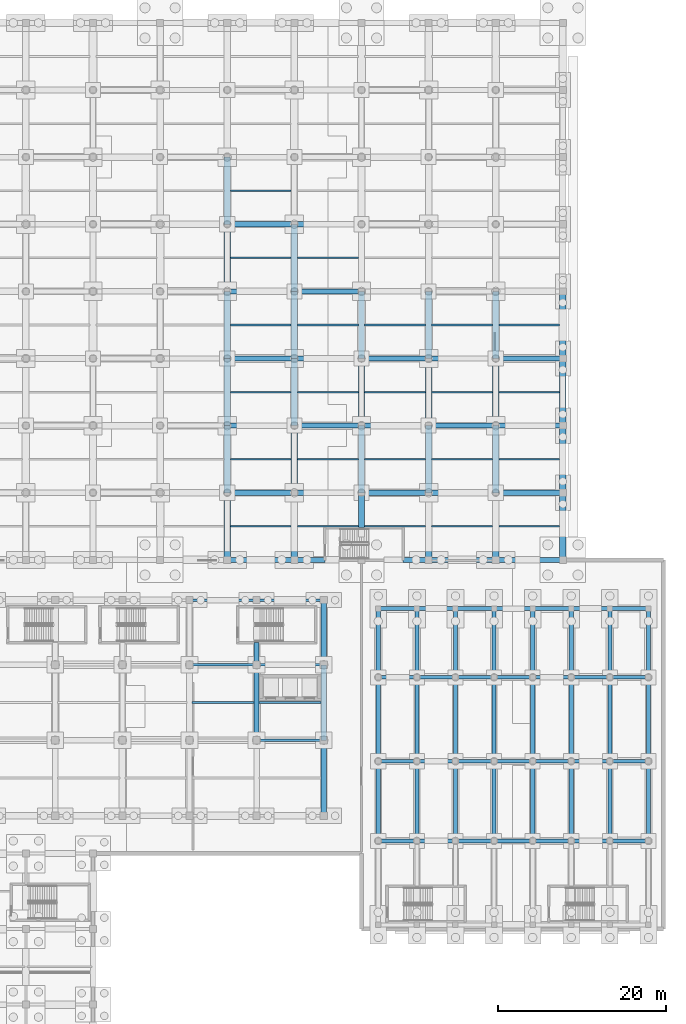
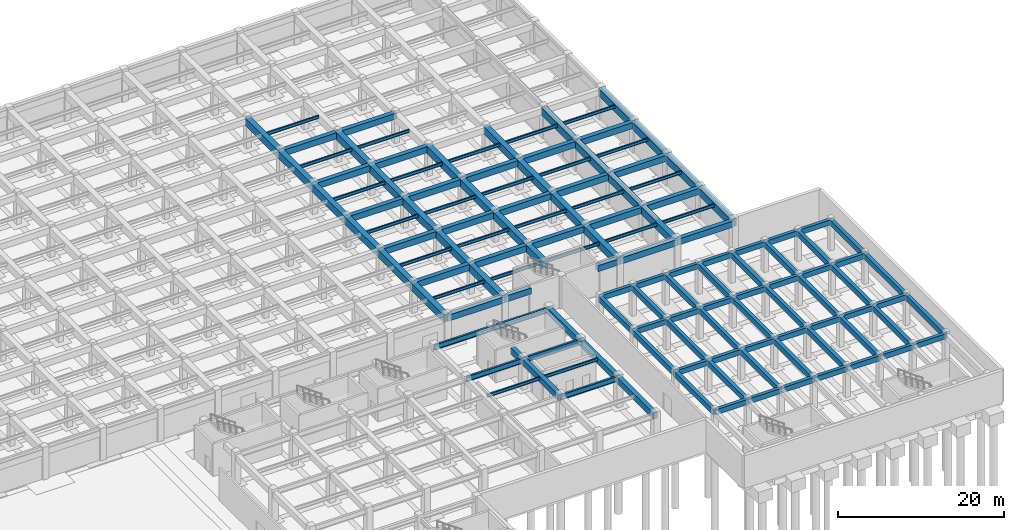
# One storey, part 22 of 48: 138 beams.
"""IFC4 building model written with IfcOpenShell, lengths in metres."""

from ifc_helpers import new_model, si_unit, direction, frame, origin, origin_2d, place, context, subcontext, project, spatial, rectangle, i_section, extrude, material, material_profile, profile_set, type_object, element, save


model = new_model("IFC4")

# Units and contexts
model_context = context("Model", 3, precision=1e-05, world=origin(), true_north=direction((0.0, 1.0)))
body_context = subcontext(model_context, "Body", "Model", "MODEL_VIEW")
ifc_project = project(units=[si_unit("LENGTHUNIT", "METRE"), si_unit("AREAUNIT", "SQUARE_METRE"), si_unit("VOLUMEUNIT", "CUBIC_METRE"), si_unit("PLANEANGLEUNIT", "RADIAN"), si_unit("MASSUNIT", "GRAM", prefix="KILO")], contexts=[model_context])

# Site, building, storey
site_placement = place(None, origin())
site = spatial("IfcSite", under=ifc_project, at=site_placement, CompositionType="ELEMENT")
building_placement = place(site_placement, origin())
building = spatial("IfcBuilding", under=site, at=building_placement, Name="Tlacozan Convention Centre", CompositionType="ELEMENT")
storey_placement = place(building_placement, frame((0.0, 0.0, -4.800048828125)))
storey = spatial("IfcBuildingStorey", under=building, at=storey_placement, Name="B01", CompositionType="ELEMENT", Elevation=-4.800048828125)

# Beams
ifc_material_1 = material(Name="Concrete C40/50", Category="concrete")
ifc_material_profile_1 = material_profile(ifc_material_1, rectangle(XDim=0.449951171875, YDim=0.75, at=origin_2d()), Name="RC 450x750")
ifc_profile_set_1 = profile_set([ifc_material_profile_1], Name="Concrete C40/50")
beam_type_1 = type_object("IfcBeamType", Name="Girder RC 450x750", PredefinedType="BEAM", material=ifc_profile_set_1)
for number, where, z_axis, x_axis, name in (
    (1, (146.0, 28.5, 4.10498046875), (1.0, 0.0, 0.0), (0.0, 1.0, 0.0), "B01 Girder RC 450x750 1534"),
    (2, (146.0, 38.0, 4.10498046875), (1.0, 0.0, 0.0), (0.0, 1.0, 0.0), "B01 Girder RC 450x750 1535"),
    (3, (146.0, 48.0, 4.10498046875), (1.0, 0.0, 0.0), (0.0, 1.0, 0.0), "B01 Girder RC 450x750 1536"),
    (4, (146.0, 56.199951171875, 4.10498046875), (1.0, 0.0, 0.0), (0.0, 1.0, 0.0), "B01 Girder RC 450x750 1537"),
):
    element("IfcBeam", number, at=place(storey_placement, frame(where, z_axis=z_axis, x_axis=x_axis)), inside=storey, type_object=beam_type_1, Name=name, PredefinedType="BEAM", context=body_context, shape_type="SweptSolid", body=[
        extrude(rectangle(XDim=0.449951171875, YDim=0.75, at=origin_2d()), origin(), (0.0, 0.0, 1.0), 4.60009765625),
    ])
for number, where, z_axis, x_axis, name in (
    (5, (150.60009765625, 28.5, 4.10498046875), (1.0, 0.0, 0.0), (0.0, 1.0, 0.0), "B01 Girder RC 450x750 1539"),
    (6, (150.60009765625, 38.0, 4.10498046875), (1.0, 0.0, 0.0), (0.0, 1.0, 0.0), "B01 Girder RC 450x750 1540"),
    (7, (150.60009765625, 48.0, 4.10498046875), (1.0, 0.0, 0.0), (0.0, 1.0, 0.0), "B01 Girder RC 450x750 1541"),
    (8, (150.60009765625, 56.199951171875, 4.10498046875), (1.0, 0.0, 0.0), (0.0, 1.0, 0.0), "B01 Girder RC 450x750 1542"),
):
    element("IfcBeam", number, at=place(storey_placement, frame(where, z_axis=z_axis, x_axis=x_axis)), inside=storey, type_object=beam_type_1, Name=name, PredefinedType="BEAM", context=body_context, shape_type="SweptSolid", body=[
        extrude(rectangle(XDim=0.449951171875, YDim=0.75, at=origin_2d()), origin(), (0.0, 0.0, 1.0), 4.599853515625),
    ])
for number, where, z_axis, x_axis, name in (
    (9, (155.199951171875, 28.5, 4.10498046875), (1.0, 0.0, 0.0), (0.0, 1.0, 0.0), "B01 Girder RC 450x750 1544"),
    (10, (155.199951171875, 38.0, 4.10498046875), (1.0, 0.0, 0.0), (0.0, 1.0, 0.0), "B01 Girder RC 450x750 1545"),
    (11, (155.199951171875, 48.0, 4.10498046875), (1.0, 0.0, 0.0), (0.0, 1.0, 0.0), "B01 Girder RC 450x750 1546"),
    (12, (155.199951171875, 56.199951171875, 4.10498046875), (1.0, 0.0, 0.0), (0.0, 1.0, 0.0), "B01 Girder RC 450x750 1547"),
):
    element("IfcBeam", number, at=place(storey_placement, frame(where, z_axis=z_axis, x_axis=x_axis)), inside=storey, type_object=beam_type_1, Name=name, PredefinedType="BEAM", context=body_context, shape_type="SweptSolid", body=[
        extrude(rectangle(XDim=0.449951171875, YDim=0.75, at=origin_2d()), origin(), (0.0, 0.0, 1.0), 4.60009765625),
    ])
for number, where, z_axis, x_axis, name in (
    (13, (159.800048828125, 28.5, 4.10498046875), (1.0, 0.0, 0.0), (0.0, 1.0, 0.0), "B01 Girder RC 450x750 1549"),
    (14, (159.800048828125, 38.0, 4.10498046875), (1.0, 0.0, 0.0), (0.0, 1.0, 0.0), "B01 Girder RC 450x750 1550"),
    (15, (159.800048828125, 48.0, 4.10498046875), (1.0, 0.0, 0.0), (0.0, 1.0, 0.0), "B01 Girder RC 450x750 1551"),
    (16, (159.800048828125, 56.199951171875, 4.10498046875), (1.0, 0.0, 0.0), (0.0, 1.0, 0.0), "B01 Girder RC 450x750 1552"),
):
    element("IfcBeam", number, at=place(storey_placement, frame(where, z_axis=z_axis, x_axis=x_axis)), inside=storey, type_object=beam_type_1, Name=name, PredefinedType="BEAM", context=body_context, shape_type="SweptSolid", body=[
        extrude(rectangle(XDim=0.449951171875, YDim=0.75, at=origin_2d()), origin(), (0.0, 0.0, 1.0), 4.599853515625),
    ])
for number, where, z_axis, x_axis, name in (
    (17, (164.39990234375, 28.5, 4.10498046875), (1.0, 0.0, 0.0), (0.0, 1.0, 0.0), "B01 Girder RC 450x750 1554"),
    (18, (164.39990234375, 38.0, 4.10498046875), (1.0, 0.0, 0.0), (0.0, 1.0, 0.0), "B01 Girder RC 450x750 1555"),
    (19, (164.39990234375, 48.0, 4.10498046875), (1.0, 0.0, 0.0), (0.0, 1.0, 0.0), "B01 Girder RC 450x750 1556"),
    (20, (164.39990234375, 56.199951171875, 4.10498046875), (1.0, 0.0, 0.0), (0.0, 1.0, 0.0), "B01 Girder RC 450x750 1557"),
    (21, (169.0, 28.5, 4.10498046875), (1.0, 0.0, 0.0), (0.0, 1.0, 0.0), "B01 Girder RC 450x750 1559"),
    (22, (169.0, 38.0, 4.10498046875), (1.0, 0.0, 0.0), (0.0, 1.0, 0.0), "B01 Girder RC 450x750 1560"),
    (23, (169.0, 48.0, 4.10498046875), (1.0, 0.0, 0.0), (0.0, 1.0, 0.0), "B01 Girder RC 450x750 1561"),
    (24, (169.0, 56.199951171875, 4.10498046875), (1.0, 0.0, 0.0), (0.0, 1.0, 0.0), "B01 Girder RC 450x750 1562"),
):
    element("IfcBeam", number, at=place(storey_placement, frame(where, z_axis=z_axis, x_axis=x_axis)), inside=storey, type_object=beam_type_1, Name=name, PredefinedType="BEAM", context=body_context, shape_type="SweptSolid", body=[
        extrude(rectangle(XDim=0.449951171875, YDim=0.75, at=origin_2d()), origin(), (0.0, 0.0, 1.0), 4.60009765625),
    ])
for number, where, z_axis, x_axis, name in (
    (25, (173.60009765625, 28.5, 4.10498046875), (1.0, 0.0, 0.0), (0.0, 1.0, 0.0), "B01 Girder RC 450x750 1564"),
    (26, (173.60009765625, 38.0, 4.10498046875), (1.0, 0.0, 0.0), (0.0, 1.0, 0.0), "B01 Girder RC 450x750 1565"),
    (27, (173.60009765625, 48.0, 4.10498046875), (1.0, 0.0, 0.0), (0.0, 1.0, 0.0), "B01 Girder RC 450x750 1566"),
    (28, (173.60009765625, 56.199951171875, 4.10498046875), (1.0, 0.0, 0.0), (0.0, 1.0, 0.0), "B01 Girder RC 450x750 1567"),
):
    element("IfcBeam", number, at=place(storey_placement, frame(where, z_axis=z_axis, x_axis=x_axis)), inside=storey, type_object=beam_type_1, Name=name, PredefinedType="BEAM", context=body_context, shape_type="SweptSolid", body=[
        extrude(rectangle(XDim=0.449951171875, YDim=0.75, at=origin_2d()), origin(), (0.0, 0.0, 1.0), 4.599853515625),
    ])
ifc_material_profile_2 = material_profile(ifc_material_1, rectangle(XDim=0.5, YDim=0.800048828125, at=origin_2d()), Name="RC 500x800")
ifc_profile_set_2 = profile_set([ifc_material_profile_2], Name="Concrete C40/50")
beam_type_2 = type_object("IfcBeamType", Name="Girder RC 500x800", PredefinedType="BEAM", material=ifc_profile_set_2)
beam_1_placement = place(storey_placement, frame((146.0, 28.5, 4.080078125), z_axis=(0.0, 1.0, 0.0), x_axis=(-1.0, 0.0, 0.0)))
element("IfcBeam", 29, at=beam_1_placement, inside=storey, type_object=beam_type_2, Name="B01 Girder RC 500x800 1502", PredefinedType="BEAM", context=body_context, shape_type="SweptSolid", body=[
    extrude(rectangle(XDim=0.5, YDim=0.800048828125, at=origin_2d()), origin(), (0.0, 0.0, 1.0), 9.5),
])
beam_2_placement = place(storey_placement, frame((146.0, 38.0, 4.080078125), z_axis=(0.0, 1.0, 0.0), x_axis=(-1.0, 0.0, 0.0)))
element("IfcBeam", 30, at=beam_2_placement, inside=storey, type_object=beam_type_2, Name="B01 Girder RC 500x800 1503", PredefinedType="BEAM", context=body_context, shape_type="SweptSolid", body=[
    extrude(rectangle(XDim=0.5, YDim=0.800048828125, at=origin_2d()), origin(), (0.0, 0.0, 1.0), 10.0),
])
beam_3_placement = place(storey_placement, frame((146.0, 48.0, 4.080078125), z_axis=(0.0, 1.0, 0.0), x_axis=(-1.0, 0.0, 0.0)))
element("IfcBeam", 31, at=beam_3_placement, inside=storey, type_object=beam_type_2, Name="B01 Girder RC 500x800 1504", PredefinedType="BEAM", context=body_context, shape_type="SweptSolid", body=[
    extrude(rectangle(XDim=0.5, YDim=0.800048828125, at=origin_2d()), origin(), (0.0, 0.0, 1.0), 8.199951171875),
])
beam_4_placement = place(storey_placement, frame((150.60009765625, 28.5, 4.080078125), z_axis=(0.0, 1.0, 0.0), x_axis=(-1.0, 0.0, 0.0)))
element("IfcBeam", 32, at=beam_4_placement, inside=storey, type_object=beam_type_2, Name="B01 Girder RC 500x800 1506", PredefinedType="BEAM", context=body_context, shape_type="SweptSolid", body=[
    extrude(rectangle(XDim=0.5, YDim=0.800048828125, at=origin_2d()), origin(), (0.0, 0.0, 1.0), 9.5),
])
beam_5_placement = place(storey_placement, frame((150.60009765625, 38.0, 4.080078125), z_axis=(0.0, 1.0, 0.0), x_axis=(-1.0, 0.0, 0.0)))
element("IfcBeam", 33, at=beam_5_placement, inside=storey, type_object=beam_type_2, Name="B01 Girder RC 500x800 1507", PredefinedType="BEAM", context=body_context, shape_type="SweptSolid", body=[
    extrude(rectangle(XDim=0.5, YDim=0.800048828125, at=origin_2d()), origin(), (0.0, 0.0, 1.0), 10.0),
])
beam_6_placement = place(storey_placement, frame((150.60009765625, 48.0, 4.080078125), z_axis=(0.0, 1.0, 0.0), x_axis=(-1.0, 0.0, 0.0)))
element("IfcBeam", 34, at=beam_6_placement, inside=storey, type_object=beam_type_2, Name="B01 Girder RC 500x800 1508", PredefinedType="BEAM", context=body_context, shape_type="SweptSolid", body=[
    extrude(rectangle(XDim=0.5, YDim=0.800048828125, at=origin_2d()), origin(), (0.0, 0.0, 1.0), 8.199951171875),
])
beam_7_placement = place(storey_placement, frame((155.199951171875, 28.5, 4.080078125), z_axis=(0.0, 1.0, 0.0), x_axis=(-1.0, 0.0, 0.0)))
element("IfcBeam", 35, at=beam_7_placement, inside=storey, type_object=beam_type_2, Name="B01 Girder RC 500x800 1510", PredefinedType="BEAM", context=body_context, shape_type="SweptSolid", body=[
    extrude(rectangle(XDim=0.5, YDim=0.800048828125, at=origin_2d()), origin(), (0.0, 0.0, 1.0), 9.5),
])
beam_8_placement = place(storey_placement, frame((155.199951171875, 38.0, 4.080078125), z_axis=(0.0, 1.0, 0.0), x_axis=(-1.0, 0.0, 0.0)))
element("IfcBeam", 36, at=beam_8_placement, inside=storey, type_object=beam_type_2, Name="B01 Girder RC 500x800 1511", PredefinedType="BEAM", context=body_context, shape_type="SweptSolid", body=[
    extrude(rectangle(XDim=0.5, YDim=0.800048828125, at=origin_2d()), origin(), (0.0, 0.0, 1.0), 10.0),
])
beam_9_placement = place(storey_placement, frame((155.199951171875, 48.0, 4.080078125), z_axis=(0.0, 1.0, 0.0), x_axis=(-1.0, 0.0, 0.0)))
element("IfcBeam", 37, at=beam_9_placement, inside=storey, type_object=beam_type_2, Name="B01 Girder RC 500x800 1512", PredefinedType="BEAM", context=body_context, shape_type="SweptSolid", body=[
    extrude(rectangle(XDim=0.5, YDim=0.800048828125, at=origin_2d()), origin(), (0.0, 0.0, 1.0), 8.199951171875),
])
beam_10_placement = place(storey_placement, frame((159.800048828125, 28.5, 4.080078125), z_axis=(0.0, 1.0, 0.0), x_axis=(-1.0, 0.0, 0.0)))
element("IfcBeam", 38, at=beam_10_placement, inside=storey, type_object=beam_type_2, Name="B01 Girder RC 500x800 1514", PredefinedType="BEAM", context=body_context, shape_type="SweptSolid", body=[
    extrude(rectangle(XDim=0.5, YDim=0.800048828125, at=origin_2d()), origin(), (0.0, 0.0, 1.0), 9.5),
])
beam_11_placement = place(storey_placement, frame((159.800048828125, 38.0, 4.080078125), z_axis=(0.0, 1.0, 0.0), x_axis=(-1.0, 0.0, 0.0)))
element("IfcBeam", 39, at=beam_11_placement, inside=storey, type_object=beam_type_2, Name="B01 Girder RC 500x800 1515", PredefinedType="BEAM", context=body_context, shape_type="SweptSolid", body=[
    extrude(rectangle(XDim=0.5, YDim=0.800048828125, at=origin_2d()), origin(), (0.0, 0.0, 1.0), 10.0),
])
beam_12_placement = place(storey_placement, frame((159.800048828125, 48.0, 4.080078125), z_axis=(0.0, 1.0, 0.0), x_axis=(-1.0, 0.0, 0.0)))
element("IfcBeam", 40, at=beam_12_placement, inside=storey, type_object=beam_type_2, Name="B01 Girder RC 500x800 1516", PredefinedType="BEAM", context=body_context, shape_type="SweptSolid", body=[
    extrude(rectangle(XDim=0.5, YDim=0.800048828125, at=origin_2d()), origin(), (0.0, 0.0, 1.0), 8.199951171875),
])
beam_13_placement = place(storey_placement, frame((164.39990234375, 28.5, 4.080078125), z_axis=(0.0, 1.0, 0.0), x_axis=(-1.0, 0.0, 0.0)))
element("IfcBeam", 41, at=beam_13_placement, inside=storey, type_object=beam_type_2, Name="B01 Girder RC 500x800 1518", PredefinedType="BEAM", context=body_context, shape_type="SweptSolid", body=[
    extrude(rectangle(XDim=0.5, YDim=0.800048828125, at=origin_2d()), origin(), (0.0, 0.0, 1.0), 9.5),
])
beam_14_placement = place(storey_placement, frame((164.39990234375, 38.0, 4.080078125), z_axis=(0.0, 1.0, 0.0), x_axis=(-1.0, 0.0, 0.0)))
element("IfcBeam", 42, at=beam_14_placement, inside=storey, type_object=beam_type_2, Name="B01 Girder RC 500x800 1519", PredefinedType="BEAM", context=body_context, shape_type="SweptSolid", body=[
    extrude(rectangle(XDim=0.5, YDim=0.800048828125, at=origin_2d()), origin(), (0.0, 0.0, 1.0), 10.0),
])
beam_15_placement = place(storey_placement, frame((164.39990234375, 48.0, 4.080078125), z_axis=(0.0, 1.0, 0.0), x_axis=(-1.0, 0.0, 0.0)))
element("IfcBeam", 43, at=beam_15_placement, inside=storey, type_object=beam_type_2, Name="B01 Girder RC 500x800 1520", PredefinedType="BEAM", context=body_context, shape_type="SweptSolid", body=[
    extrude(rectangle(XDim=0.5, YDim=0.800048828125, at=origin_2d()), origin(), (0.0, 0.0, 1.0), 8.199951171875),
])
beam_16_placement = place(storey_placement, frame((169.0, 28.5, 4.080078125), z_axis=(0.0, 1.0, 0.0), x_axis=(-1.0, 0.0, 0.0)))
element("IfcBeam", 44, at=beam_16_placement, inside=storey, type_object=beam_type_2, Name="B01 Girder RC 500x800 1522", PredefinedType="BEAM", context=body_context, shape_type="SweptSolid", body=[
    extrude(rectangle(XDim=0.5, YDim=0.800048828125, at=origin_2d()), origin(), (0.0, 0.0, 1.0), 9.5),
])
beam_17_placement = place(storey_placement, frame((169.0, 38.0, 4.080078125), z_axis=(0.0, 1.0, 0.0), x_axis=(-1.0, 0.0, 0.0)))
element("IfcBeam", 45, at=beam_17_placement, inside=storey, type_object=beam_type_2, Name="B01 Girder RC 500x800 1523", PredefinedType="BEAM", context=body_context, shape_type="SweptSolid", body=[
    extrude(rectangle(XDim=0.5, YDim=0.800048828125, at=origin_2d()), origin(), (0.0, 0.0, 1.0), 10.0),
])
beam_18_placement = place(storey_placement, frame((169.0, 48.0, 4.080078125), z_axis=(0.0, 1.0, 0.0), x_axis=(-1.0, 0.0, 0.0)))
element("IfcBeam", 46, at=beam_18_placement, inside=storey, type_object=beam_type_2, Name="B01 Girder RC 500x800 1524", PredefinedType="BEAM", context=body_context, shape_type="SweptSolid", body=[
    extrude(rectangle(XDim=0.5, YDim=0.800048828125, at=origin_2d()), origin(), (0.0, 0.0, 1.0), 8.199951171875),
])
beam_19_placement = place(storey_placement, frame((173.60009765625, 28.5, 4.080078125), z_axis=(0.0, 1.0, 0.0), x_axis=(-1.0, 0.0, 0.0)))
element("IfcBeam", 47, at=beam_19_placement, inside=storey, type_object=beam_type_2, Name="B01 Girder RC 500x800 1526", PredefinedType="BEAM", context=body_context, shape_type="SweptSolid", body=[
    extrude(rectangle(XDim=0.5, YDim=0.800048828125, at=origin_2d()), origin(), (0.0, 0.0, 1.0), 9.5),
])
beam_20_placement = place(storey_placement, frame((173.60009765625, 38.0, 4.080078125), z_axis=(0.0, 1.0, 0.0), x_axis=(-1.0, 0.0, 0.0)))
element("IfcBeam", 48, at=beam_20_placement, inside=storey, type_object=beam_type_2, Name="B01 Girder RC 500x800 1527", PredefinedType="BEAM", context=body_context, shape_type="SweptSolid", body=[
    extrude(rectangle(XDim=0.5, YDim=0.800048828125, at=origin_2d()), origin(), (0.0, 0.0, 1.0), 10.0),
])
beam_21_placement = place(storey_placement, frame((173.60009765625, 48.0, 4.080078125), z_axis=(0.0, 1.0, 0.0), x_axis=(-1.0, 0.0, 0.0)))
element("IfcBeam", 49, at=beam_21_placement, inside=storey, type_object=beam_type_2, Name="B01 Girder RC 500x800 1528", PredefinedType="BEAM", context=body_context, shape_type="SweptSolid", body=[
    extrude(rectangle(XDim=0.5, YDim=0.800048828125, at=origin_2d()), origin(), (0.0, 0.0, 1.0), 8.199951171875),
])
beam_22_placement = place(storey_placement, frame((178.199951171875, 28.5, 4.080078125), z_axis=(0.0, 1.0, 0.0), x_axis=(-1.0, 0.0, 0.0)))
element("IfcBeam", 50, at=beam_22_placement, inside=storey, type_object=beam_type_2, Name="B01 Girder RC 500x800 1530", PredefinedType="BEAM", context=body_context, shape_type="SweptSolid", body=[
    extrude(rectangle(XDim=0.5, YDim=0.800048828125, at=origin_2d()), origin(), (0.0, 0.0, 1.0), 9.5),
])
beam_23_placement = place(storey_placement, frame((178.199951171875, 38.0, 4.080078125), z_axis=(0.0, 1.0, 0.0), x_axis=(-1.0, 0.0, 0.0)))
element("IfcBeam", 51, at=beam_23_placement, inside=storey, type_object=beam_type_2, Name="B01 Girder RC 500x800 1531", PredefinedType="BEAM", context=body_context, shape_type="SweptSolid", body=[
    extrude(rectangle(XDim=0.5, YDim=0.800048828125, at=origin_2d()), origin(), (0.0, 0.0, 1.0), 10.0),
])
beam_24_placement = place(storey_placement, frame((178.199951171875, 48.0, 4.080078125), z_axis=(0.0, 1.0, 0.0), x_axis=(-1.0, 0.0, 0.0)))
element("IfcBeam", 52, at=beam_24_placement, inside=storey, type_object=beam_type_2, Name="B01 Girder RC 500x800 1532", PredefinedType="BEAM", context=body_context, shape_type="SweptSolid", body=[
    extrude(rectangle(XDim=0.5, YDim=0.800048828125, at=origin_2d()), origin(), (0.0, 0.0, 1.0), 8.199951171875),
])
ifc_material_profile_3 = material_profile(ifc_material_1, rectangle(XDim=0.60009765625, YDim=0.89990234375, at=origin_2d()), Name="RC 600x900")
ifc_profile_set_3 = profile_set([ifc_material_profile_3], Name="Concrete C40/50")
beam_type_3 = type_object("IfcBeamType", Name="Girder RC 600x900", PredefinedType="BEAM", material=ifc_profile_set_3)
for number, where, z_axis, x_axis, name in (
    (53, (128.0, 62.0, 3.969970703125), (1.0, 0.0, 0.0), (0.0, 1.0, 0.0), "B01 Girder RC 600x900 1216"),
    (54, (128.0, 70.0, 3.969970703125), (1.0, 0.0, 0.0), (0.0, 1.0, 0.0), "B01 Girder RC 600x900 1217"),
    (55, (128.0, 78.0, 3.969970703125), (1.0, 0.0, 0.0), (0.0, 1.0, 0.0), "B01 Girder RC 600x900 1218"),
    (56, (128.0, 86.0, 3.969970703125), (1.0, 0.0, 0.0), (0.0, 1.0, 0.0), "B01 Girder RC 600x900 1219"),
    (57, (128.0, 94.0, 3.969970703125), (1.0, 0.0, 0.0), (0.0, 1.0, 0.0), "B01 Girder RC 600x900 1220"),
    (58, (128.0, 102.0, 3.969970703125), (1.0, 0.0, 0.0), (0.0, 1.0, 0.0), "B01 Girder RC 600x900 1221"),
):
    element("IfcBeam", number, at=place(storey_placement, frame(where, z_axis=z_axis, x_axis=x_axis)), inside=storey, type_object=beam_type_3, Name=name, PredefinedType="BEAM", context=body_context, shape_type="SweptSolid", body=[
        extrude(rectangle(XDim=0.60009765625, YDim=0.89990234375, at=origin_2d()), origin(), (0.0, 0.0, 1.0), 8.0),
    ])
beam_25_placement = place(storey_placement, frame((136.0, 62.0, 3.969970703125), z_axis=(1.0, 0.0, 0.0), x_axis=(0.0, 1.0, 0.0)))
element("IfcBeam", 59, at=beam_25_placement, inside=storey, type_object=beam_type_3, Name="B01 Girder RC 600x900 1233", PredefinedType="BEAM", context=body_context, shape_type="SweptSolid", body=[
    extrude(rectangle(XDim=0.60009765625, YDim=0.89990234375, at=origin_2d()), origin(), (0.0, 0.0, 1.0), 3.639892578125),
])
for number, where, z_axis, x_axis, name in (
    (60, (136.0, 70.0, 3.969970703125), (1.0, 0.0, 0.0), (0.0, 1.0, 0.0), "B01 Girder RC 600x900 1234"),
    (61, (136.0, 78.0, 3.969970703125), (1.0, 0.0, 0.0), (0.0, 1.0, 0.0), "B01 Girder RC 600x900 1235"),
    (62, (136.0, 86.0, 3.969970703125), (1.0, 0.0, 0.0), (0.0, 1.0, 0.0), "B01 Girder RC 600x900 1236"),
    (63, (136.0, 94.0, 3.969970703125), (1.0, 0.0, 0.0), (0.0, 1.0, 0.0), "B01 Girder RC 600x900 1237"),
    (64, (136.0, 102.0, 3.969970703125), (1.0, 0.0, 0.0), (0.0, 1.0, 0.0), "B01 Girder RC 600x900 1238"),
):
    element("IfcBeam", number, at=place(storey_placement, frame(where, z_axis=z_axis, x_axis=x_axis)), inside=storey, type_object=beam_type_3, Name=name, PredefinedType="BEAM", context=body_context, shape_type="SweptSolid", body=[
        extrude(rectangle(XDim=0.60009765625, YDim=0.89990234375, at=origin_2d()), origin(), (0.0, 0.0, 1.0), 8.0),
    ])
beam_26_placement = place(storey_placement, frame((148.9599609375, 62.0, 3.969970703125), z_axis=(1.0, 0.0, 0.0), x_axis=(0.0, 1.0, 0.0)))
element("IfcBeam", 65, at=beam_26_placement, inside=storey, type_object=beam_type_3, Name="B01 Girder RC 600x900 1250", PredefinedType="BEAM", context=body_context, shape_type="SweptSolid", body=[
    extrude(rectangle(XDim=0.60009765625, YDim=0.89990234375, at=origin_2d()), origin(), (0.0, 0.0, 1.0), 3.0400390625),
])
for number, where, z_axis, x_axis, name in (
    (66, (144.0, 70.0, 3.969970703125), (1.0, 0.0, 0.0), (0.0, 1.0, 0.0), "B01 Girder RC 600x900 1251"),
    (67, (144.0, 78.0, 3.969970703125), (1.0, 0.0, 0.0), (0.0, 1.0, 0.0), "B01 Girder RC 600x900 1252"),
    (68, (144.0, 86.0, 3.969970703125), (1.0, 0.0, 0.0), (0.0, 1.0, 0.0), "B01 Girder RC 600x900 1253"),
    (69, (152.0, 62.0, 3.969970703125), (1.0, 0.0, 0.0), (0.0, 1.0, 0.0), "B01 Girder RC 600x900 1267"),
    (70, (152.0, 70.0, 3.969970703125), (1.0, 0.0, 0.0), (0.0, 1.0, 0.0), "B01 Girder RC 600x900 1268"),
    (71, (152.0, 78.0, 3.969970703125), (1.0, 0.0, 0.0), (0.0, 1.0, 0.0), "B01 Girder RC 600x900 1269"),
    (72, (152.0, 86.0, 3.969970703125), (1.0, 0.0, 0.0), (0.0, 1.0, 0.0), "B01 Girder RC 600x900 1270"),
    (73, (160.0, 62.0, 3.969970703125), (1.0, 0.0, 0.0), (0.0, 1.0, 0.0), "B01 Girder RC 600x900 1284"),
    (74, (160.0, 70.0, 3.969970703125), (1.0, 0.0, 0.0), (0.0, 1.0, 0.0), "B01 Girder RC 600x900 1285"),
    (75, (160.0, 78.0, 3.969970703125), (1.0, 0.0, 0.0), (0.0, 1.0, 0.0), "B01 Girder RC 600x900 1286"),
    (76, (160.0, 86.0, 3.969970703125), (1.0, 0.0, 0.0), (0.0, 1.0, 0.0), "B01 Girder RC 600x900 1287"),
):
    element("IfcBeam", number, at=place(storey_placement, frame(where, z_axis=z_axis, x_axis=x_axis)), inside=storey, type_object=beam_type_3, Name=name, PredefinedType="BEAM", context=body_context, shape_type="SweptSolid", body=[
        extrude(rectangle(XDim=0.60009765625, YDim=0.89990234375, at=origin_2d()), origin(), (0.0, 0.0, 1.0), 8.0),
    ])
beam_27_placement = place(storey_placement, frame((131.5, 40.5, 3.989990234375), z_axis=(0.0, 1.0, 0.0), x_axis=(-1.0, 0.0, 0.0)))
element("IfcBeam", 77, at=beam_27_placement, inside=storey, type_object=beam_type_3, Name="B01 Girder RC 600x900 1367", PredefinedType="BEAM", context=body_context, shape_type="SweptSolid", body=[
    extrude(rectangle(XDim=0.60009765625, YDim=0.89990234375, at=origin_2d()), origin(), (0.0, 0.0, 1.0), 9.0),
])
beam_28_placement = place(storey_placement, frame((131.5, 49.5, 3.989990234375), z_axis=(0.0, 1.0, 0.0), x_axis=(-1.0, 0.0, 0.0)))
element("IfcBeam", 78, at=beam_28_placement, inside=storey, type_object=beam_type_3, Name="B01 Girder RC 600x900 1368", PredefinedType="BEAM", context=body_context, shape_type="SweptSolid", body=[
    extrude(rectangle(XDim=0.60009765625, YDim=0.89990234375, at=origin_2d()), origin(), (0.0, 0.0, 1.0), 2.639892578125),
])
for number, where, z_axis, x_axis, name in (
    (79, (139.5, 31.5, 3.989990234375), (0.0, 1.0, 0.0), (-1.0, 0.0, 0.0), "B01 Girder RC 600x900 1369"),
    (80, (139.5, 40.5, 3.989990234375), (0.0, 1.0, 0.0), (-1.0, 0.0, 0.0), "B01 Girder RC 600x900 1370"),
):
    element("IfcBeam", number, at=place(storey_placement, frame(where, z_axis=z_axis, x_axis=x_axis)), inside=storey, type_object=beam_type_3, Name=name, PredefinedType="BEAM", context=body_context, shape_type="SweptSolid", body=[
        extrude(rectangle(XDim=0.60009765625, YDim=0.89990234375, at=origin_2d()), origin(), (0.0, 0.0, 1.0), 9.0),
    ])
beam_29_placement = place(storey_placement, frame((139.5, 49.5, 3.989990234375), z_axis=(0.0, 1.0, 0.0), x_axis=(-1.0, 0.0, 0.0)))
element("IfcBeam", 81, at=beam_29_placement, inside=storey, type_object=beam_type_3, Name="B01 Girder RC 600x900 1371", PredefinedType="BEAM", context=body_context, shape_type="SweptSolid", body=[
    extrude(rectangle(XDim=0.60009765625, YDim=0.89990234375, at=origin_2d()), origin(), (0.0, 0.0, 1.0), 7.699951171875),
])
ifc_material_profile_4 = material_profile(ifc_material_1, rectangle(XDim=0.75, YDim=1.10009765625, at=origin_2d()), Name="RC 750x1100")
ifc_profile_set_4 = profile_set([ifc_material_profile_4], Name="Concrete C40/50")
beam_type_4 = type_object("IfcBeamType", Name="Girder RC 750x1100", PredefinedType="BEAM", material=ifc_profile_set_4)
for number, where, z_axis, x_axis, name in (
    (82, (128.0, 62.0, 3.8701171875), (0.0, 1.0, 0.0), (-1.0, 0.0, 0.0), "B01 Girder RC 750x1100 897"),
    (83, (128.0, 70.0, 3.8701171875), (0.0, 1.0, 0.0), (-1.0, 0.0, 0.0), "B01 Girder RC 750x1100 898"),
    (84, (128.0, 78.0, 3.8701171875), (0.0, 1.0, 0.0), (-1.0, 0.0, 0.0), "B01 Girder RC 750x1100 899"),
    (85, (128.0, 86.0, 3.8701171875), (0.0, 1.0, 0.0), (-1.0, 0.0, 0.0), "B01 Girder RC 750x1100 900"),
    (86, (128.0, 94.0, 3.8701171875), (0.0, 1.0, 0.0), (-1.0, 0.0, 0.0), "B01 Girder RC 750x1100 901"),
    (87, (128.0, 102.0, 3.8701171875), (0.0, 1.0, 0.0), (-1.0, 0.0, 0.0), "B01 Girder RC 750x1100 902"),
    (88, (136.0, 62.0, 3.8701171875), (0.0, 1.0, 0.0), (-1.0, 0.0, 0.0), "B01 Girder RC 750x1100 905"),
    (89, (136.0, 70.0, 3.8701171875), (0.0, 1.0, 0.0), (-1.0, 0.0, 0.0), "B01 Girder RC 750x1100 906"),
    (90, (136.0, 78.0, 3.8701171875), (0.0, 1.0, 0.0), (-1.0, 0.0, 0.0), "B01 Girder RC 750x1100 907"),
    (91, (136.0, 86.0, 3.8701171875), (0.0, 1.0, 0.0), (-1.0, 0.0, 0.0), "B01 Girder RC 750x1100 908"),
    (92, (136.0, 94.0, 3.8701171875), (0.0, 1.0, 0.0), (-1.0, 0.0, 0.0), "B01 Girder RC 750x1100 909"),
):
    element("IfcBeam", number, at=place(storey_placement, frame(where, z_axis=z_axis, x_axis=x_axis)), inside=storey, type_object=beam_type_4, Name=name, PredefinedType="BEAM", context=body_context, shape_type="SweptSolid", body=[
        extrude(rectangle(XDim=0.75, YDim=1.10009765625, at=origin_2d()), origin(), (0.0, 0.0, 1.0), 8.0),
    ])
beam_30_placement = place(storey_placement, frame((144.0, 65.860107421875, 3.8701171875), z_axis=(0.0, 1.0, 0.0), x_axis=(-1.0, 0.0, 0.0)))
element("IfcBeam", 93, at=beam_30_placement, inside=storey, type_object=beam_type_4, Name="B01 Girder RC 750x1100 913", PredefinedType="BEAM", context=body_context, shape_type="SweptSolid", body=[
    extrude(rectangle(XDim=0.75, YDim=1.10009765625, at=origin_2d()), origin(), (0.0, 0.0, 1.0), 4.139892578125),
])
for number, where, z_axis, x_axis, name in (
    (94, (144.0, 70.0, 3.8701171875), (0.0, 1.0, 0.0), (-1.0, 0.0, 0.0), "B01 Girder RC 750x1100 914"),
    (95, (144.0, 78.0, 3.8701171875), (0.0, 1.0, 0.0), (-1.0, 0.0, 0.0), "B01 Girder RC 750x1100 915"),
    (96, (144.0, 86.0, 3.8701171875), (0.0, 1.0, 0.0), (-1.0, 0.0, 0.0), "B01 Girder RC 750x1100 916"),
    (97, (152.0, 62.0, 3.8701171875), (0.0, 1.0, 0.0), (-1.0, 0.0, 0.0), "B01 Girder RC 750x1100 921"),
    (98, (152.0, 70.0, 3.8701171875), (0.0, 1.0, 0.0), (-1.0, 0.0, 0.0), "B01 Girder RC 750x1100 922"),
    (99, (152.0, 78.0, 3.8701171875), (0.0, 1.0, 0.0), (-1.0, 0.0, 0.0), "B01 Girder RC 750x1100 923"),
    (100, (152.0, 86.0, 3.8701171875), (0.0, 1.0, 0.0), (-1.0, 0.0, 0.0), "B01 Girder RC 750x1100 924"),
    (101, (160.0, 62.0, 3.8701171875), (0.0, 1.0, 0.0), (-1.0, 0.0, 0.0), "B01 Girder RC 750x1100 929"),
    (102, (160.0, 70.0, 3.8701171875), (0.0, 1.0, 0.0), (-1.0, 0.0, 0.0), "B01 Girder RC 750x1100 930"),
    (103, (160.0, 78.0, 3.8701171875), (0.0, 1.0, 0.0), (-1.0, 0.0, 0.0), "B01 Girder RC 750x1100 931"),
    (104, (160.0, 86.0, 3.8701171875), (0.0, 1.0, 0.0), (-1.0, 0.0, 0.0), "B01 Girder RC 750x1100 932"),
    (105, (168.0, 62.0, 3.8701171875), (0.0, 1.0, 0.0), (-1.0, 0.0, 0.0), "B01 Girder RC 750x1100 937"),
    (106, (168.0, 70.0, 3.8701171875), (0.0, 1.0, 0.0), (-1.0, 0.0, 0.0), "B01 Girder RC 750x1100 938"),
    (107, (168.0, 78.0, 3.8701171875), (0.0, 1.0, 0.0), (-1.0, 0.0, 0.0), "B01 Girder RC 750x1100 939"),
    (108, (168.0, 86.0, 3.8701171875), (0.0, 1.0, 0.0), (-1.0, 0.0, 0.0), "B01 Girder RC 750x1100 940"),
):
    element("IfcBeam", number, at=place(storey_placement, frame(where, z_axis=z_axis, x_axis=x_axis)), inside=storey, type_object=beam_type_4, Name=name, PredefinedType="BEAM", context=body_context, shape_type="SweptSolid", body=[
        extrude(rectangle(XDim=0.75, YDim=1.10009765625, at=origin_2d()), origin(), (0.0, 0.0, 1.0), 8.0),
    ])
ifc_material_2 = material(Name="Steel ASTM A992 Grade 50", Category="steel")
ifc_material_profile_5 = material_profile(ifc_material_2, i_section(OverallWidth=0.26806640625, OverallDepth=0.77001953125, WebThickness=0.015625, FlangeThickness=0.025390625, FilletRadius=0.01708984375, at=origin_2d()), Name="IR 762x196.0")
ifc_profile_set_5 = profile_set([ifc_material_profile_5], Name="Steel ASTM A992 Grade 50")
beam_type_5 = type_object("IfcBeamType", Name="Girder Steel IR 762x196", PredefinedType="BEAM", material=ifc_profile_set_5)
for number, where, z_axis, x_axis, name in (
    (109, (123.5, 49.5, 4.054931640625), (1.0, 0.0, 0.0), (0.0, 1.0, 0.0), "B01 Girder Steel IR 762x196 1398"),
    (110, (123.5, 57.199951171875, 4.054931640625), (1.0, 0.0, 0.0), (0.0, 1.0, 0.0), "B01 Girder Steel IR 762x196 1399"),
    (111, (131.5, 40.5, 4.054931640625), (1.0, 0.0, 0.0), (0.0, 1.0, 0.0), "B01 Girder Steel IR 762x196 1403"),
    (112, (131.5, 49.5, 4.054931640625), (1.0, 0.0, 0.0), (0.0, 1.0, 0.0), "B01 Girder Steel IR 762x196 1404"),
    (113, (131.5, 57.199951171875, 4.054931640625), (1.0, 0.0, 0.0), (0.0, 1.0, 0.0), "B01 Girder Steel IR 762x196 1405"),
):
    element("IfcBeam", number, at=place(storey_placement, frame(where, z_axis=z_axis, x_axis=x_axis)), inside=storey, type_object=beam_type_5, Name=name, PredefinedType="BEAM", context=body_context, shape_type="SweptSolid", body=[
        extrude(i_section(OverallWidth=0.26806640625, OverallDepth=0.77001953125, WebThickness=0.015625, FlangeThickness=0.025390625, FilletRadius=0.01708984375, at=origin_2d()), origin(), (0.0, 0.0, 1.0), 8.0),
    ])
ifc_material_profile_6 = material_profile(ifc_material_2, i_section(OverallWidth=0.19189453125, OverallDepth=0.462890625, WebThickness=0.010498046875, FlangeThickness=0.017578125, FilletRadius=0.010986328125, at=origin_2d()), Name="IR 457x89.3")
ifc_profile_set_6 = profile_set([ifc_material_profile_6], Name="Steel ASTM A992 Grade 50")
beam_type_6 = type_object("IfcBeamType", Name="Secondary Joist IR 457x89.3", PredefinedType="JOIST", material=ifc_profile_set_6)
for number, where, z_axis, x_axis, name in (
    (114, (128.373046875, 66.0, 4.1884765625), (1.0, 0.0, 0.0), (0.0, 1.0, 0.0), "B01 Secondary Joist IR 457x89.3 1225"),
    (115, (128.373046875, 74.0, 4.1884765625), (1.0, 0.0, 0.0), (0.0, 1.0, 0.0), "B01 Secondary Joist IR 457x89.3 1226"),
    (116, (128.373046875, 82.0, 4.1884765625), (1.0, 0.0, 0.0), (0.0, 1.0, 0.0), "B01 Secondary Joist IR 457x89.3 1227"),
    (117, (128.373046875, 90.0, 4.1884765625), (1.0, 0.0, 0.0), (0.0, 1.0, 0.0), "B01 Secondary Joist IR 457x89.3 1228"),
    (118, (128.373046875, 98.0, 4.1884765625), (1.0, 0.0, 0.0), (0.0, 1.0, 0.0), "B01 Secondary Joist IR 457x89.3 1229"),
    (119, (128.373046875, 106.0, 4.1884765625), (1.0, 0.0, 0.0), (0.0, 1.0, 0.0), "B01 Secondary Joist IR 457x89.3 1230"),
    (120, (136.373046875, 66.0, 4.1884765625), (1.0, 0.0, 0.0), (0.0, 1.0, 0.0), "B01 Secondary Joist IR 457x89.3 1242"),
    (121, (136.373046875, 74.0, 4.1884765625), (1.0, 0.0, 0.0), (0.0, 1.0, 0.0), "B01 Secondary Joist IR 457x89.3 1243"),
    (122, (136.373046875, 82.0, 4.1884765625), (1.0, 0.0, 0.0), (0.0, 1.0, 0.0), "B01 Secondary Joist IR 457x89.3 1244"),
    (123, (136.373046875, 90.0, 4.1884765625), (1.0, 0.0, 0.0), (0.0, 1.0, 0.0), "B01 Secondary Joist IR 457x89.3 1245"),
    (124, (136.373046875, 98.0, 4.1884765625), (1.0, 0.0, 0.0), (0.0, 1.0, 0.0), "B01 Secondary Joist IR 457x89.3 1246"),
    (125, (144.373046875, 66.0, 4.1884765625), (1.0, 0.0, 0.0), (0.0, 1.0, 0.0), "B01 Secondary Joist IR 457x89.3 1259"),
    (126, (144.373046875, 74.0, 4.1884765625), (1.0, 0.0, 0.0), (0.0, 1.0, 0.0), "B01 Secondary Joist IR 457x89.3 1260"),
    (127, (144.373046875, 82.0, 4.1884765625), (1.0, 0.0, 0.0), (0.0, 1.0, 0.0), "B01 Secondary Joist IR 457x89.3 1261"),
    (128, (144.373046875, 90.0, 4.1884765625), (1.0, 0.0, 0.0), (0.0, 1.0, 0.0), "B01 Secondary Joist IR 457x89.3 1262"),
    (129, (152.373046875, 66.0, 4.1884765625), (1.0, 0.0, 0.0), (0.0, 1.0, 0.0), "B01 Secondary Joist IR 457x89.3 1276"),
    (130, (152.373046875, 74.0, 4.1884765625), (1.0, 0.0, 0.0), (0.0, 1.0, 0.0), "B01 Secondary Joist IR 457x89.3 1277"),
    (131, (152.373046875, 82.0, 4.1884765625), (1.0, 0.0, 0.0), (0.0, 1.0, 0.0), "B01 Secondary Joist IR 457x89.3 1278"),
    (132, (152.373046875, 90.0, 4.1884765625), (1.0, 0.0, 0.0), (0.0, 1.0, 0.0), "B01 Secondary Joist IR 457x89.3 1279"),
    (133, (160.373046875, 66.0, 4.1884765625), (1.0, 0.0, 0.0), (0.0, 1.0, 0.0), "B01 Secondary Joist IR 457x89.3 1293"),
    (134, (160.373046875, 74.0, 4.1884765625), (1.0, 0.0, 0.0), (0.0, 1.0, 0.0), "B01 Secondary Joist IR 457x89.3 1294"),
    (135, (160.373046875, 82.0, 4.1884765625), (1.0, 0.0, 0.0), (0.0, 1.0, 0.0), "B01 Secondary Joist IR 457x89.3 1295"),
    (136, (160.373046875, 90.0, 4.1884765625), (1.0, 0.0, 0.0), (0.0, 1.0, 0.0), "B01 Secondary Joist IR 457x89.3 1296"),
):
    element("IfcBeam", number, at=place(storey_placement, frame(where, z_axis=z_axis, x_axis=x_axis)), inside=storey, type_object=beam_type_6, Name=name, PredefinedType="JOIST", context=body_context, shape_type="SweptSolid", body=[
        extrude(i_section(OverallWidth=0.19189453125, OverallDepth=0.462890625, WebThickness=0.010498046875, FlangeThickness=0.017578125, FilletRadius=0.010986328125, at=origin_2d()), origin(), (0.0, 0.0, 1.0), 7.25390625),
    ])
for number, where, z_axis, x_axis, name in (
    (137, (123.798095703125, 45.0, 4.20849609375), (1.0, 0.0, 0.0), (0.0, 1.0, 0.0), "B01 Secondary Joist IR 457x89.3 1401"),
    (138, (131.798095703125, 45.0, 4.20849609375), (1.0, 0.0, 0.0), (0.0, 1.0, 0.0), "B01 Secondary Joist IR 457x89.3 1407"),
):
    element("IfcBeam", number, at=place(storey_placement, frame(where, z_axis=z_axis, x_axis=x_axis)), inside=storey, type_object=beam_type_6, Name=name, PredefinedType="JOIST", context=body_context, shape_type="SweptSolid", body=[
        extrude(i_section(OverallWidth=0.19189453125, OverallDepth=0.462890625, WebThickness=0.010498046875, FlangeThickness=0.017578125, FilletRadius=0.010986328125, at=origin_2d()), origin(), (0.0, 0.0, 1.0), 7.40380859375),
    ])

save(model, "model.ifc")
